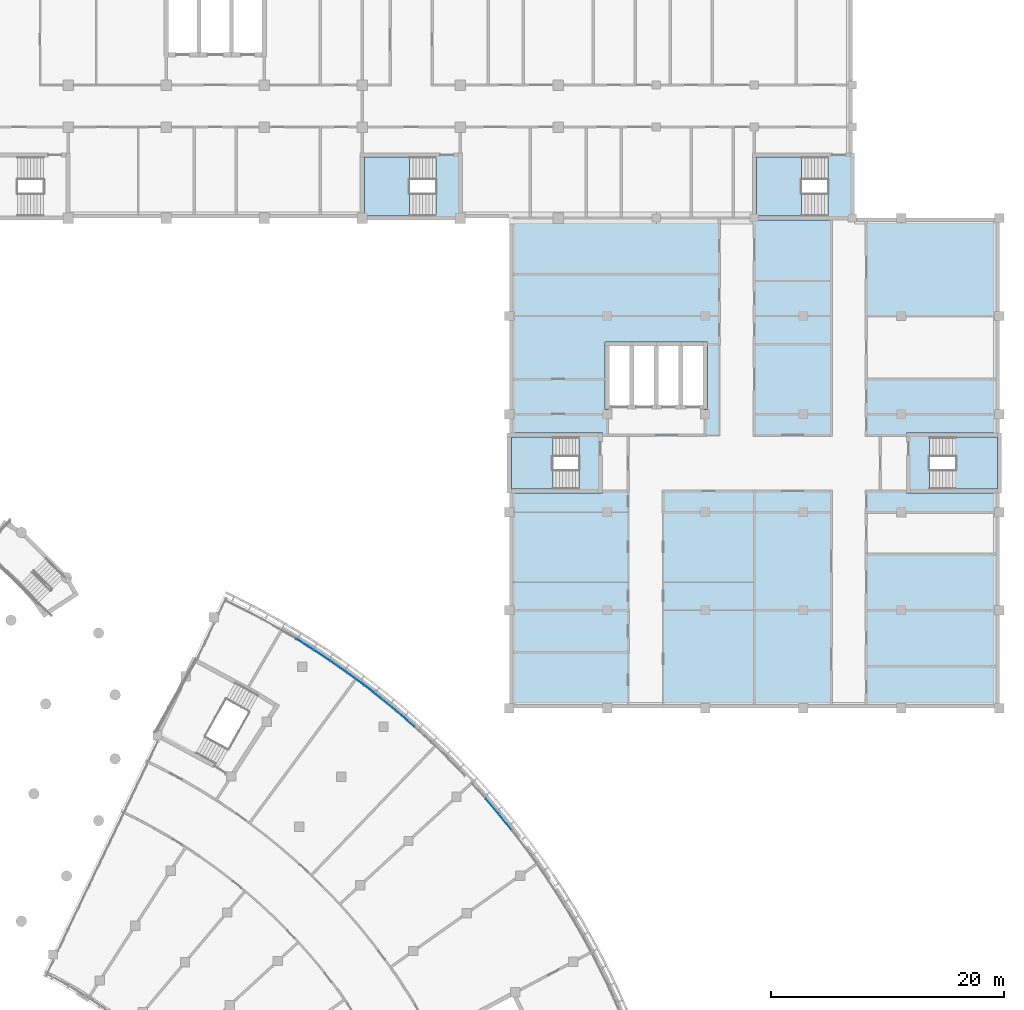
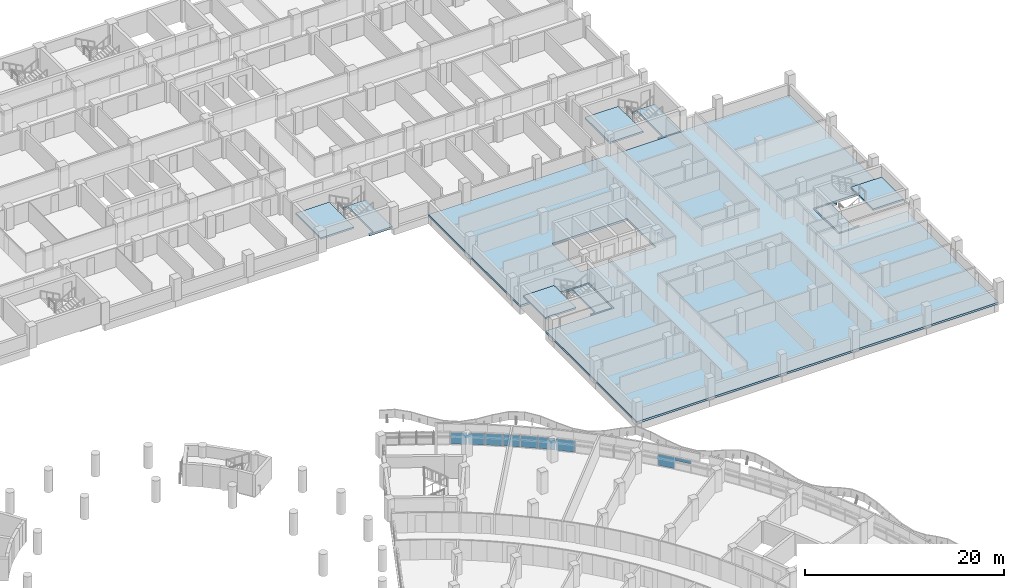
# One storey, part 35 of 89: 25 plates, 9 slabs, 8 elements without a shape of their own.
"""IFC4 building model written with IfcOpenShell, lengths in metres."""

from ifc_helpers import new_model, si_unit, direction, frame, origin, origin_2d, place, context, subcontext, project, spatial, polyline, rectangle, outline, extrude, material, layer, layer_set, type_object, element, aggregate, save


model = new_model("IFC4")

# Units and contexts
model_context = context("Model", 3, precision=1e-05, world=origin(), true_north=direction((0.0, 1.0)))
body_context = subcontext(model_context, "Body", "Model", "MODEL_VIEW")
ifc_project = project(units=[si_unit("LENGTHUNIT", "METRE"), si_unit("AREAUNIT", "SQUARE_METRE"), si_unit("VOLUMEUNIT", "CUBIC_METRE"), si_unit("PLANEANGLEUNIT", "RADIAN"), si_unit("MASSUNIT", "GRAM", prefix="KILO")], contexts=[model_context])

# Site, building, storey
site_placement = place(None, origin())
site = spatial("IfcSite", under=ifc_project, at=site_placement, CompositionType="ELEMENT")
building_placement = place(site_placement, origin())
building = spatial("IfcBuilding", under=site, at=building_placement, Name="Bougainvillea Quay General Hospital", CompositionType="ELEMENT")
storey_placement = place(building_placement, frame((0.0, 0.0, 9.89990234375)))
storey = spatial("IfcBuildingStorey", under=building, at=storey_placement, Name="L01M", CompositionType="ELEMENT", Elevation=9.89990234375)

# Curtain wall, plates
ifc_material_1 = material(Name="Aluminium curtain wall system, powder-coated glazed", Category="aluminium")
curtain_wall_type = type_object("IfcCurtainWallType", Name="Unitised curtain wall CW-2100", PredefinedType="NOTDEFINED", material=ifc_material_1)
curtain_wall_1_placement = place(storey_placement, origin())
curtain_wall_1 = element("IfcCurtainWall", 1, at=curtain_wall_1_placement, inside=storey, type_object=curtain_wall_type, Name="CW-E01 a10b0", PredefinedType="NOTDEFINED")
ifc_material_2 = material(Name="Insulated aluminium spandrel panel, white", Category="aluminium")
ifc_layer_1 = layer(ifc_material_2, 0.028076171875)
ifc_layer_set_1 = layer_set([ifc_layer_1], Name="Insulated aluminium spandrel panel, white")
plate_type_1 = type_object("IfcPlateType", Name="Insulated spandrel panel white 28", PredefinedType="CURTAIN_PANEL", material=ifc_layer_set_1)
plate_1_placement = place(storey_placement, frame((146.258544921875, 81.0849609375, 0.06005859375), z_axis=(0.0, 0.0, 1.0), x_axis=(0.847041735206, -0.531526385817, 0.0)))
plate_1 = element("IfcPlate", 2, at=plate_1_placement, type_object=plate_type_1, Name="CW-E01 spandrel panel 5.1", PredefinedType="CURTAIN_PANEL", context=body_context, shape_type="SweptSolid", body=[
    extrude(rectangle(XDim=1.62255859375, YDim=0.028076171875, at=origin_2d()), origin(), (0.0, 0.0, 1.0), 0.81005859375),
])
plate_2_placement = place(storey_placement, frame((146.258544921875, 81.0849609375, 1.080078125), z_axis=(0.0, 0.0, 1.0), x_axis=(0.847041735206, -0.531526385817, 0.0)))
plate_2 = element("IfcPlate", 3, at=plate_2_placement, type_object=plate_type_1, Name="CW-E01 spandrel panel 5.3", PredefinedType="CURTAIN_PANEL", context=body_context, shape_type="SweptSolid", body=[
    extrude(rectangle(XDim=1.62255859375, YDim=0.028076171875, at=origin_2d()), origin(), (0.0, 0.0, 1.0), 0.409912109375),
])

curtain_wall_2_placement = place(storey_placement, origin())
curtain_wall_2 = element("IfcCurtainWall", 4, at=curtain_wall_2_placement, inside=storey, type_object=curtain_wall_type, Name="CW-E02 a10b1", PredefinedType="NOTDEFINED")
plate_3_placement = place(storey_placement, frame((147.7509765625, 80.121826171875, 0.06005859375), z_axis=(0.0, 0.0, 1.0), x_axis=(0.833469434396, -0.552565563465, 0.0)))
plate_3 = element("IfcPlate", 5, at=plate_3_placement, type_object=plate_type_1, Name="CW-E02 spandrel panel 1.1", PredefinedType="CURTAIN_PANEL", context=body_context, shape_type="SweptSolid", body=[
    extrude(rectangle(XDim=1.690185546875, YDim=0.028076171875, at=origin_2d()), origin(), (0.0, 0.0, 1.0), 0.81005859375),
])
plate_4_placement = place(storey_placement, frame((147.7509765625, 80.121826171875, 1.080078125), z_axis=(0.0, 0.0, 1.0), x_axis=(0.833469434396, -0.552565563465, 0.0)))
plate_4 = element("IfcPlate", 6, at=plate_4_placement, type_object=plate_type_1, Name="CW-E02 spandrel panel 1.3", PredefinedType="CURTAIN_PANEL", context=body_context, shape_type="SweptSolid", body=[
    extrude(rectangle(XDim=1.690185546875, YDim=0.028076171875, at=origin_2d()), origin(), (0.0, 0.0, 1.0), 0.409912109375),
])
plate_5_placement = place(storey_placement, frame((149.20947265625, 79.12744140625, 0.06005859375), z_axis=(0.0, 0.0, 1.0), x_axis=(0.819095979911, -0.573656496253, 0.0)))
plate_5 = element("IfcPlate", 7, at=plate_5_placement, type_object=plate_type_1, Name="CW-E02 spandrel panel 2.1", PredefinedType="CURTAIN_PANEL", context=body_context, shape_type="SweptSolid", body=[
    extrude(rectangle(XDim=1.72021484375, YDim=0.028076171875, at=origin_2d()), origin(), (0.0, 0.0, 1.0), 0.81005859375),
])
plate_6_placement = place(storey_placement, frame((149.20947265625, 79.12744140625, 1.080078125), z_axis=(0.0, 0.0, 1.0), x_axis=(0.819095979911, -0.573656496253, 0.0)))
plate_6 = element("IfcPlate", 8, at=plate_6_placement, type_object=plate_type_1, Name="CW-E02 spandrel panel 2.3", PredefinedType="CURTAIN_PANEL", context=body_context, shape_type="SweptSolid", body=[
    extrude(rectangle(XDim=1.72021484375, YDim=0.028076171875, at=origin_2d()), origin(), (0.0, 0.0, 1.0), 0.409912109375),
])
plate_7_placement = place(storey_placement, frame((150.654296875, 78.087890625, 0.06005859375), z_axis=(0.0, 0.0, 1.0), x_axis=(0.804188946942, -0.594373735638, 0.0)))
plate_7 = element("IfcPlate", 9, at=plate_7_placement, type_object=plate_type_1, Name="CW-E02 spandrel panel 3.1", PredefinedType="CURTAIN_PANEL", context=body_context, shape_type="SweptSolid", body=[
    extrude(rectangle(XDim=1.72021484375, YDim=0.028076171875, at=origin_2d()), origin(), (0.0, 0.0, 1.0), 0.81005859375),
])
plate_8_placement = place(storey_placement, frame((150.654296875, 78.087890625, 1.080078125), z_axis=(0.0, 0.0, 1.0), x_axis=(0.804188946942, -0.594373735638, 0.0)))
plate_8 = element("IfcPlate", 10, at=plate_8_placement, type_object=plate_type_1, Name="CW-E02 spandrel panel 3.3", PredefinedType="CURTAIN_PANEL", context=body_context, shape_type="SweptSolid", body=[
    extrude(rectangle(XDim=1.72021484375, YDim=0.028076171875, at=origin_2d()), origin(), (0.0, 0.0, 1.0), 0.409912109375),
])
plate_9_placement = place(storey_placement, frame((152.072265625, 77.01171875, 0.06005859375), z_axis=(0.0, 0.0, 1.0), x_axis=(0.788758046282, -0.614703785921, 0.0)))
plate_9 = element("IfcPlate", 11, at=plate_9_placement, type_object=plate_type_1, Name="CW-E02 spandrel panel 4.1", PredefinedType="CURTAIN_PANEL", context=body_context, shape_type="SweptSolid", body=[
    extrude(rectangle(XDim=1.72021484375, YDim=0.028076171875, at=origin_2d()), origin(), (0.0, 0.0, 1.0), 0.81005859375),
])
plate_10_placement = place(storey_placement, frame((152.072265625, 77.01171875, 1.080078125), z_axis=(0.0, 0.0, 1.0), x_axis=(0.788758046282, -0.614703785921, 0.0)))
plate_10 = element("IfcPlate", 12, at=plate_10_placement, type_object=plate_type_1, Name="CW-E02 spandrel panel 4.3", PredefinedType="CURTAIN_PANEL", context=body_context, shape_type="SweptSolid", body=[
    extrude(rectangle(XDim=1.72021484375, YDim=0.028076171875, at=origin_2d()), origin(), (0.0, 0.0, 1.0), 0.409912109375),
])
plate_11_placement = place(storey_placement, frame((153.45068359375, 75.9091796875, 0.06005859375), z_axis=(0.0, 0.0, 1.0), x_axis=(0.772813329985, -0.634633403626, 0.0)))
plate_11 = element("IfcPlate", 13, at=plate_11_placement, type_object=plate_type_1, Name="CW-E02 spandrel panel 5.1", PredefinedType="CURTAIN_PANEL", context=body_context, shape_type="SweptSolid", body=[
    extrude(rectangle(XDim=1.690185546875, YDim=0.028076171875, at=origin_2d()), origin(), (0.0, 0.0, 1.0), 0.81005859375),
])
plate_12_placement = place(storey_placement, frame((153.45068359375, 75.9091796875, 1.080078125), z_axis=(0.0, 0.0, 1.0), x_axis=(0.772813329985, -0.634633403626, 0.0)))
plate_12 = element("IfcPlate", 14, at=plate_12_placement, type_object=plate_type_1, Name="CW-E02 spandrel panel 5.3", PredefinedType="CURTAIN_PANEL", context=body_context, shape_type="SweptSolid", body=[
    extrude(rectangle(XDim=1.690185546875, YDim=0.028076171875, at=origin_2d()), origin(), (0.0, 0.0, 1.0), 0.409912109375),
])

curtain_wall_3_placement = place(storey_placement, origin())
curtain_wall_3 = element("IfcCurtainWall", 15, at=curtain_wall_3_placement, inside=storey, type_object=curtain_wall_type, Name="CW-E03 a10b2", PredefinedType="NOTDEFINED")
plate_13_placement = place(storey_placement, frame((154.925537109375, 74.66162109375, 0.06005859375), z_axis=(0.0, 0.0, 1.0), x_axis=(0.755223923404, -0.655466875989, 0.0)))
plate_13 = element("IfcPlate", 16, at=plate_13_placement, type_object=plate_type_1, Name="CW-E03 spandrel panel 1.1", PredefinedType="CURTAIN_PANEL", context=body_context, shape_type="SweptSolid", body=[
    extrude(rectangle(XDim=1.933349609375, YDim=0.028076171875, at=origin_2d()), origin(), (0.0, 0.0, 1.0), 0.81005859375),
])
plate_14_placement = place(storey_placement, frame((154.925537109375, 74.66162109375, 1.080078125), z_axis=(0.0, 0.0, 1.0), x_axis=(0.755223923404, -0.655466875989, 0.0)))
plate_14 = element("IfcPlate", 17, at=plate_14_placement, type_object=plate_type_1, Name="CW-E03 spandrel panel 1.3", PredefinedType="CURTAIN_PANEL", context=body_context, shape_type="SweptSolid", body=[
    extrude(rectangle(XDim=1.933349609375, YDim=0.028076171875, at=origin_2d()), origin(), (0.0, 0.0, 1.0), 0.409912109375),
])

curtain_wall_4_placement = place(storey_placement, origin())
curtain_wall_4 = element("IfcCurtainWall", 18, at=curtain_wall_4_placement, inside=storey, type_object=curtain_wall_type, Name="CW-E04 a14b3", PredefinedType="NOTDEFINED")
plate_15_placement = place(storey_placement, frame((162.336669921875, 67.175537109375, 0.06005859375), z_axis=(0.0, 0.0, 1.0), x_axis=(0.647726390606, -0.761873035953, 0.0)))
plate_15 = element("IfcPlate", 19, at=plate_15_placement, type_object=plate_type_1, Name="CW-E04 spandrel panel 2.1", PredefinedType="CURTAIN_PANEL", context=body_context, shape_type="SweptSolid", body=[
    extrude(rectangle(XDim=1.72021484375, YDim=0.028076171875, at=origin_2d()), origin(), (0.0, 0.0, 1.0), 0.81005859375),
])
plate_16_placement = place(storey_placement, frame((162.336669921875, 67.175537109375, 1.080078125), z_axis=(0.0, 0.0, 1.0), x_axis=(0.647726390606, -0.761873035953, 0.0)))
plate_16 = element("IfcPlate", 20, at=plate_16_placement, type_object=plate_type_1, Name="CW-E04 spandrel panel 2.3", PredefinedType="CURTAIN_PANEL", context=body_context, shape_type="SweptSolid", body=[
    extrude(rectangle(XDim=1.72021484375, YDim=0.028076171875, at=origin_2d()), origin(), (0.0, 0.0, 1.0), 0.409912109375),
])
plate_17_placement = place(storey_placement, frame((163.47216796875, 65.8046875, 1.080078125), z_axis=(0.0, 0.0, 1.0), x_axis=(0.62807171477, -0.778155460757, 0.0)))
plate_17 = element("IfcPlate", 21, at=plate_17_placement, type_object=plate_type_1, Name="CW-E04 spandrel panel 3.3", PredefinedType="CURTAIN_PANEL", context=body_context, shape_type="SweptSolid", body=[
    extrude(rectangle(XDim=1.72021484375, YDim=0.028076171875, at=origin_2d()), origin(), (0.0, 0.0, 1.0), 0.409912109375),
])

# Plate
ifc_material_3 = material(Name="Low-e laminated glass, solar control", Category="glass")
ifc_layer_2 = layer(ifc_material_3, 0.028076171875)
ifc_layer_set_2 = layer_set([ifc_layer_2], Name="Low-e laminated glass, solar control")
plate_type_2 = type_object("IfcPlateType", Name="Low-e laminated vision glass 28", PredefinedType="CURTAIN_PANEL", material=ifc_layer_set_2)
plate_18_placement = place(storey_placement, frame((146.258544921875, 81.0849609375, 0.93017578125), z_axis=(0.0, 0.0, 1.0), x_axis=(0.847041735206, -0.531526385817, 0.0)))
plate_18 = element("IfcPlate", 22, at=plate_18_placement, type_object=plate_type_2, Name="CW-E01 vision glass panel 5.2", PredefinedType="CURTAIN_PANEL", context=body_context, shape_type="SweptSolid", body=[
    extrude(rectangle(XDim=1.62255859375, YDim=0.028076171875, at=origin_2d()), origin(), (0.0, 0.0, 1.0), 0.090087890625),
])

aggregate(curtain_wall_1, [plate_1, plate_18, plate_2])

plate_19_placement = place(storey_placement, frame((147.7509765625, 80.121826171875, 0.93017578125), z_axis=(0.0, 0.0, 1.0), x_axis=(0.833469434396, -0.552565563465, 0.0)))
plate_19 = element("IfcPlate", 23, at=plate_19_placement, type_object=plate_type_2, Name="CW-E02 vision glass panel 1.2", PredefinedType="CURTAIN_PANEL", context=body_context, shape_type="SweptSolid", body=[
    extrude(rectangle(XDim=1.690185546875, YDim=0.028076171875, at=origin_2d()), origin(), (0.0, 0.0, 1.0), 0.090087890625),
])

plate_20_placement = place(storey_placement, frame((149.20947265625, 79.12744140625, 0.93017578125), z_axis=(0.0, 0.0, 1.0), x_axis=(0.819095979911, -0.573656496253, 0.0)))
plate_20 = element("IfcPlate", 24, at=plate_20_placement, type_object=plate_type_2, Name="CW-E02 vision glass panel 2.2", PredefinedType="CURTAIN_PANEL", context=body_context, shape_type="SweptSolid", body=[
    extrude(rectangle(XDim=1.72021484375, YDim=0.028076171875, at=origin_2d()), origin(), (0.0, 0.0, 1.0), 0.090087890625),
])

plate_21_placement = place(storey_placement, frame((150.654296875, 78.087890625, 0.93017578125), z_axis=(0.0, 0.0, 1.0), x_axis=(0.804188946942, -0.594373735638, 0.0)))
plate_21 = element("IfcPlate", 25, at=plate_21_placement, type_object=plate_type_2, Name="CW-E02 vision glass panel 3.2", PredefinedType="CURTAIN_PANEL", context=body_context, shape_type="SweptSolid", body=[
    extrude(rectangle(XDim=1.72021484375, YDim=0.028076171875, at=origin_2d()), origin(), (0.0, 0.0, 1.0), 0.090087890625),
])

plate_22_placement = place(storey_placement, frame((152.072265625, 77.01171875, 0.93017578125), z_axis=(0.0, 0.0, 1.0), x_axis=(0.788758046282, -0.614703785921, 0.0)))
plate_22 = element("IfcPlate", 26, at=plate_22_placement, type_object=plate_type_2, Name="CW-E02 vision glass panel 4.2", PredefinedType="CURTAIN_PANEL", context=body_context, shape_type="SweptSolid", body=[
    extrude(rectangle(XDim=1.72021484375, YDim=0.028076171875, at=origin_2d()), origin(), (0.0, 0.0, 1.0), 0.090087890625),
])

plate_23_placement = place(storey_placement, frame((153.45068359375, 75.9091796875, 0.93017578125), z_axis=(0.0, 0.0, 1.0), x_axis=(0.772813329985, -0.634633403626, 0.0)))
plate_23 = element("IfcPlate", 27, at=plate_23_placement, type_object=plate_type_2, Name="CW-E02 vision glass panel 5.2", PredefinedType="CURTAIN_PANEL", context=body_context, shape_type="SweptSolid", body=[
    extrude(rectangle(XDim=1.690185546875, YDim=0.028076171875, at=origin_2d()), origin(), (0.0, 0.0, 1.0), 0.090087890625),
])

aggregate(curtain_wall_2, [plate_3, plate_19, plate_4, plate_5, plate_20, plate_6, plate_7, plate_21, plate_8, plate_9, plate_22, plate_10, plate_11, plate_23, plate_12])

plate_24_placement = place(storey_placement, frame((154.925537109375, 74.66162109375, 0.93017578125), z_axis=(0.0, 0.0, 1.0), x_axis=(0.755223923404, -0.655466875989, 0.0)))
plate_24 = element("IfcPlate", 28, at=plate_24_placement, type_object=plate_type_2, Name="CW-E03 vision glass panel 1.2", PredefinedType="CURTAIN_PANEL", context=body_context, shape_type="SweptSolid", body=[
    extrude(rectangle(XDim=1.933349609375, YDim=0.028076171875, at=origin_2d()), origin(), (0.0, 0.0, 1.0), 0.090087890625),
])

aggregate(curtain_wall_3, [plate_13, plate_24, plate_14])

plate_25_placement = place(storey_placement, frame((162.336669921875, 67.175537109375, 0.93017578125), z_axis=(0.0, 0.0, 1.0), x_axis=(0.647726390606, -0.761873035953, 0.0)))
plate_25 = element("IfcPlate", 29, at=plate_25_placement, type_object=plate_type_2, Name="CW-E04 vision glass panel 2.2", PredefinedType="CURTAIN_PANEL", context=body_context, shape_type="SweptSolid", body=[
    extrude(rectangle(XDim=1.72021484375, YDim=0.028076171875, at=origin_2d()), origin(), (0.0, 0.0, 1.0), 0.090087890625),
])

aggregate(curtain_wall_4, [plate_15, plate_25, plate_16, plate_17])

# Slabs
ifc_material_4 = material(Name="Concrete C35", Category="concrete")
ifc_layer_3 = layer(ifc_material_4, 0.25)
ifc_layer_set_3 = layer_set([ifc_layer_3], Name="Concrete C35")
slab_type_1 = type_object("IfcSlabType", Name="RC FLAT SLAB 250 C35", PredefinedType="FLOOR", material=ifc_layer_set_3)
slab_1_placement = place(storey_placement, frame((0.0, 0.0, -0.25)))
element("IfcSlab", 30, at=slab_1_placement, inside=storey, type_object=slab_type_1, Name="Slab S5 L01M", PredefinedType="FLOOR", context=body_context, shape_type="SweptSolid", body=[
    extrude(outline(polyline([(184.625, 117.60009765625), (163.800048828125, 117.60009765625), (163.800048828125, 99.175048828125), (171.425048828125, 99.175048828125), (171.77490234375, 99.175048828125), (171.77490234375, 94.02490234375), (171.425048828125, 94.02490234375), (163.97509765625, 94.02490234375), (163.800048828125, 94.02490234375), (163.800048828125, 75.60009765625), (205.800048828125, 75.60009765625), (205.800048828125, 94.02490234375), (205.625, 94.02490234375), (198.175048828125, 94.02490234375), (197.824951171875, 94.02490234375), (197.824951171875, 98.824951171875), (197.824951171875, 99.175048828125), (205.625, 99.175048828125), (205.800048828125, 99.175048828125), (205.800048828125, 117.60009765625), (193.375, 117.60009765625), (193.375, 117.425048828125), (193.02490234375, 117.425048828125), (184.97509765625, 117.425048828125), (184.625, 117.425048828125), (184.625, 117.60009765625)]), holes=[polyline([(180.77490234375, 101.22509765625), (180.425048828125, 101.22509765625), (178.5, 101.22509765625), (176.39990234375, 101.22509765625), (174.300048828125, 101.22509765625), (172.375, 101.22509765625), (172.02490234375, 101.22509765625), (172.02490234375, 106.625), (172.02490234375, 106.97509765625), (174.300048828125, 106.97509765625), (176.39990234375, 106.97509765625), (178.5, 106.97509765625), (180.425048828125, 106.97509765625), (180.77490234375, 106.97509765625), (180.77490234375, 101.22509765625)])]), origin(), (0.0, 0.0, 1.0), 0.25),
])
slab_2_placement = place(storey_placement, frame((0.0, 0.0, -0.25)))
element("IfcSlab", 31, at=slab_2_placement, inside=storey, type_object=slab_type_1, Name="Stair landing floor ST-D4 L01M", PredefinedType="FLOOR", context=body_context, shape_type="SweptSolid", body=[
    extrude(outline(polyline([(190.5029296875, 122.8837890625), (190.511474609375, 122.942138671875), (190.52587890625, 122.99951171875), (193.199951171875, 123.0), (193.199951171875, 117.60009765625), (190.52587890625, 117.600341796875), (190.511474609375, 117.657958984375), (190.5029296875, 117.71630859375), (190.5, 117.77392578125), (191.1005859375, 117.7744140625), (191.1005859375, 122.82568359375), (190.5, 122.825927734375), (190.5029296875, 122.8837890625)])), origin(), (0.0, 0.0, 1.0), 0.25),
])
slab_3_placement = place(storey_placement, frame((0.0, 0.0, -0.25)))
element("IfcSlab", 32, at=slab_3_placement, inside=storey, type_object=slab_type_1, Name="Stair landing floor ST-T1 L01M", PredefinedType="FLOOR", context=body_context, shape_type="SweptSolid", body=[
    extrude(outline(polyline([(169.177978515625, 98.8837890625), (169.1865234375, 98.942138671875), (169.200927734375, 98.99951171875), (171.60009765625, 99.0), (171.60009765625, 94.199951171875), (169.200927734375, 94.200439453125), (169.1865234375, 94.2578125), (169.177978515625, 94.316162109375), (169.175048828125, 94.3740234375), (169.775634765625, 94.374267578125), (169.775634765625, 98.82568359375), (169.175048828125, 98.825927734375), (169.177978515625, 98.8837890625)])), origin(), (0.0, 0.0, 1.0), 0.25),
])
slab_4_placement = place(storey_placement, frame((0.0, 0.0, -0.25)))
element("IfcSlab", 33, at=slab_4_placement, inside=storey, type_object=slab_type_1, Name="Stair landing floor ST-T2 L01M", PredefinedType="FLOOR", context=body_context, shape_type="SweptSolid", body=[
    extrude(outline(polyline([(200.422119140625, 94.316162109375), (200.41357421875, 94.2578125), (200.399169921875, 94.200439453125), (198.0, 94.199951171875), (198.0, 99.0), (200.399169921875, 98.99951171875), (200.41357421875, 98.942138671875), (200.422119140625, 98.8837890625), (200.425048828125, 98.825927734375), (199.824462890625, 98.82568359375), (199.824462890625, 94.374267578125), (200.425048828125, 94.3740234375), (200.422119140625, 94.316162109375)])), origin(), (0.0, 0.0, 1.0), 0.25),
])
slab_5_placement = place(storey_placement, frame((0.0, 0.0, -0.25)))
element("IfcSlab", 34, at=slab_5_placement, inside=storey, type_object=slab_type_1, Name="Stair landing floor ST-B4 L01M", PredefinedType="FLOOR", context=body_context, shape_type="SweptSolid", body=[
    extrude(outline(polyline([(156.90283203125, 122.8837890625), (156.91162109375, 122.942138671875), (156.926025390625, 122.99951171875), (159.60009765625, 123.0), (159.60009765625, 117.60009765625), (156.926025390625, 117.600341796875), (156.91162109375, 117.657958984375), (156.90283203125, 117.71630859375), (156.89990234375, 117.77392578125), (157.500732421875, 117.7744140625), (157.500732421875, 122.82568359375), (156.89990234375, 122.825927734375), (156.90283203125, 122.8837890625)])), origin(), (0.0, 0.0, 1.0), 0.25),
])

# Stair, slab
stair_type_1 = type_object("IfcStairType", Name="Stair half-turn 1925 wide", PredefinedType="HALF_TURN_STAIR", material=ifc_material_4)
stair_1_placement = place(storey_placement, origin())
stair_1 = element("IfcStair", 35, at=stair_1_placement, inside=storey, type_object=stair_type_1, Name="L01M stair ST-D4", PredefinedType="HALF_TURN_STAIR")
ifc_layer_4 = layer(ifc_material_4, 0.199951171875)
ifc_layer_set_4 = layer_set([ifc_layer_4], Name="Concrete C35")
slab_type_2 = type_object("IfcSlabType", Name="Stair landing 200", PredefinedType="LANDING", material=ifc_layer_set_4)
slab_6_placement = place(storey_placement, frame((0.0, 0.0, 1.150146484375)))
slab_6 = element("IfcSlab", 36, at=slab_6_placement, type_object=slab_type_2, Name="ST-D4 landing 1", PredefinedType="LANDING", context=body_context, shape_type="SweptSolid", body=[
    extrude(outline(polyline([(188.860107421875, 122.824951171875), (184.97509765625, 122.824951171875), (184.97509765625, 117.77490234375), (188.860107421875, 117.77490234375), (188.860107421875, 122.824951171875)])), origin(), (0.0, 0.0, 1.0), 0.199951171875),
])
aggregate(stair_1, [slab_6])

stair_type_2 = type_object("IfcStairType", Name="Stair half-turn 1650 wide", PredefinedType="HALF_TURN_STAIR", material=ifc_material_4)
stair_2_placement = place(storey_placement, origin())
stair_2 = element("IfcStair", 37, at=stair_2_placement, inside=storey, type_object=stair_type_2, Name="L01M stair ST-T1", PredefinedType="HALF_TURN_STAIR")
slab_7_placement = place(storey_placement, frame((0.0, 0.0, 1.150146484375)))
slab_7 = element("IfcSlab", 38, at=slab_7_placement, type_object=slab_type_2, Name="ST-T1 landing 1", PredefinedType="LANDING", context=body_context, shape_type="SweptSolid", body=[
    extrude(outline(polyline([(167.534912109375, 98.824951171875), (163.97509765625, 98.824951171875), (163.97509765625, 94.375), (167.534912109375, 94.375), (167.534912109375, 98.824951171875)])), origin(), (0.0, 0.0, 1.0), 0.199951171875),
])
aggregate(stair_2, [slab_7])

stair_3_placement = place(storey_placement, origin())
stair_3 = element("IfcStair", 39, at=stair_3_placement, inside=storey, type_object=stair_type_2, Name="L01M stair ST-T2", PredefinedType="HALF_TURN_STAIR")
slab_8_placement = place(storey_placement, frame((0.0, 0.0, 1.150146484375)))
slab_8 = element("IfcSlab", 40, at=slab_8_placement, type_object=slab_type_2, Name="ST-T2 landing 1", PredefinedType="LANDING", context=body_context, shape_type="SweptSolid", body=[
    extrude(outline(polyline([(202.06494140625, 94.375), (205.625, 94.375), (205.625, 98.824951171875), (202.06494140625, 98.824951171875), (202.06494140625, 94.375)])), origin(), (0.0, 0.0, 1.0), 0.199951171875),
])
aggregate(stair_3, [slab_8])

stair_4_placement = place(storey_placement, origin())
stair_4 = element("IfcStair", 41, at=stair_4_placement, inside=storey, type_object=stair_type_1, Name="L01M stair ST-B4", PredefinedType="HALF_TURN_STAIR")
slab_9_placement = place(storey_placement, frame((0.0, 0.0, 1.150146484375)))
slab_9 = element("IfcSlab", 42, at=slab_9_placement, type_object=slab_type_2, Name="ST-B4 landing 1", PredefinedType="LANDING", context=body_context, shape_type="SweptSolid", body=[
    extrude(outline(polyline([(155.260009765625, 122.824951171875), (151.375, 122.824951171875), (151.375, 117.77490234375), (155.260009765625, 117.77490234375), (155.260009765625, 122.824951171875)])), origin(), (0.0, 0.0, 1.0), 0.199951171875),
])
aggregate(stair_4, [slab_9])

save(model, "model.ifc")
